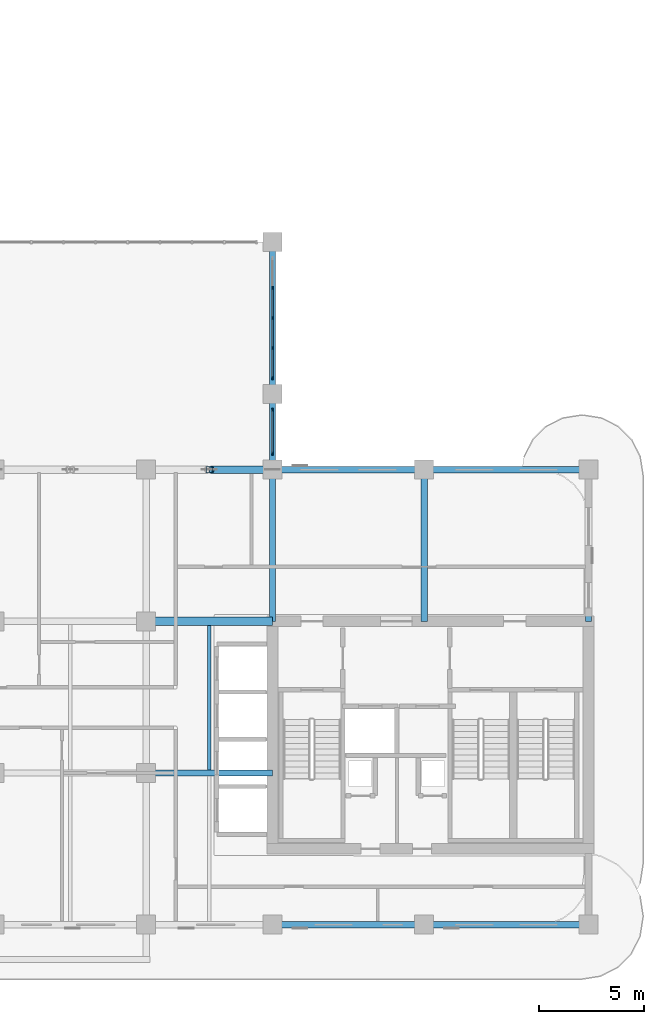
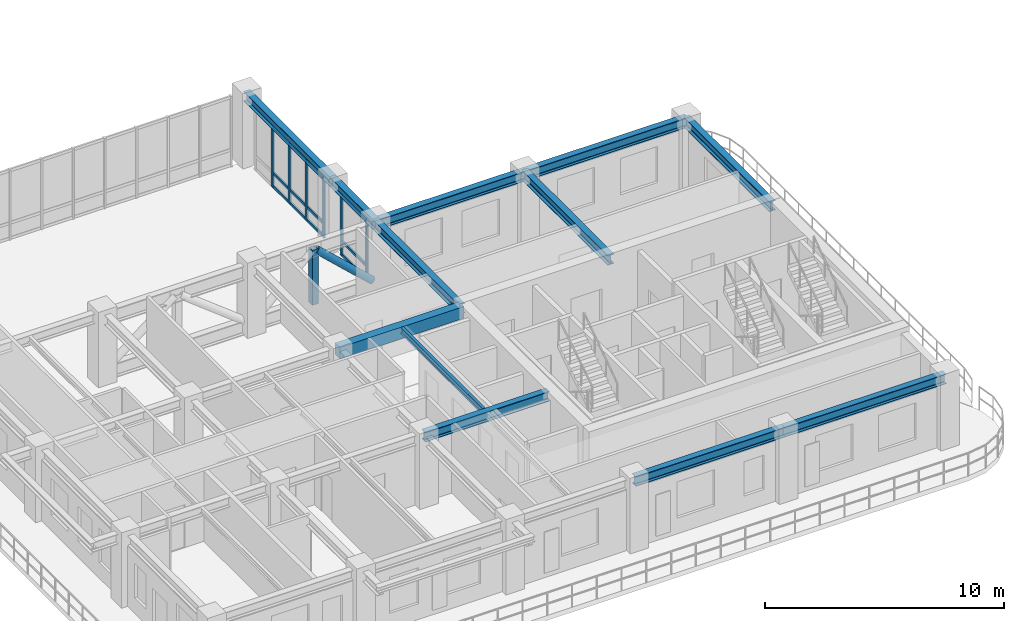
# One storey, part 3 of 19: 20 members, 12 beams, 2 elements without a shape of their own.
"""IFC4 building model written with IfcOpenShell, lengths in metres."""

from ifc_helpers import new_model, si_unit, derived_unit, direction, frame, origin, origin_2d, place, context, subcontext, project, spatial, rectangle, hollow_rectangle, hollow_circle, i_section, extrude, source, transform, mapped, material, layer, layer_set, material_profile, profile_set, type_object, type_shapes, element, aggregate, save


model = new_model("IFC4")

# Units and contexts
model_context = context("Model", 3, precision=1e-05, world=origin(), true_north=direction((0.0, 1.0)))
body_context = subcontext(model_context, "Body", "Model", "MODEL_VIEW")
ifc_project = project(units=[si_unit("LENGTHUNIT", "METRE"), si_unit("AREAUNIT", "SQUARE_METRE"), si_unit("VOLUMEUNIT", "CUBIC_METRE"), si_unit("PLANEANGLEUNIT", "RADIAN"), si_unit("MASSUNIT", "GRAM", prefix="KILO"), si_unit("THERMODYNAMICTEMPERATUREUNIT", "KELVIN"), si_unit("POWERUNIT", "WATT"), derived_unit("THERMALTRANSMITTANCEUNIT", [(si_unit("POWERUNIT", "WATT"), 1), (si_unit("AREAUNIT", "SQUARE_METRE"), -1), (si_unit("THERMODYNAMICTEMPERATUREUNIT", "KELVIN"), -1)])], contexts=[model_context])

# Site, building, storey
site_placement = place(None, origin())
site = spatial("IfcSite", under=ifc_project, at=site_placement, CompositionType="ELEMENT")
building_placement = place(site_placement, origin())
building = spatial("IfcBuilding", under=site, at=building_placement, Name="Zahravan Archway Hotel and Residences", CompositionType="ELEMENT")
storey_placement = place(building_placement, frame((0.0, 0.0, 201.89990234375)))
storey = spatial("IfcBuildingStorey", under=building, at=storey_placement, Name="L50", CompositionType="ELEMENT", Elevation=201.89990234375)

# Beams
ifc_material_1 = material(Name="Concrete C60/75", Category="concrete")
ifc_material_profile_1 = material_profile(ifc_material_1, rectangle(XDim=0.39990234375, YDim=0.60009765625, at=origin_2d()), Name="RC-LNT-400x600", Category="concrete")
ifc_profile_set_1 = profile_set([ifc_material_profile_1], Name="Concrete C60/75")
beam_type_1 = type_object("IfcBeamType", Name="LNT-RC-400x600", PredefinedType="LINTEL", material=ifc_profile_set_1)
shared_shape_1 = source(origin(), body_context, "Body", "SweptSolid", [
    extrude(rectangle(XDim=0.39990234375, YDim=0.60009765625, at=origin_2d()), origin(), (0.0, 0.0, 1.0), 6.0),
])
type_shapes(beam_type_1, [shared_shape_1])
beam_1_placement = place(storey_placement, frame((28.800048828125, 14.39990234375, 3.300048828125), z_axis=(1.0, 0.0, 0.0), x_axis=(0.0, 1.0, 0.0)))
element("IfcBeam", 1, at=beam_1_placement, inside=storey, type_object=beam_type_1, Name="L50 Core A Coupling Lintel Beam", PredefinedType="LINTEL", context=body_context, shape_type="MappedRepresentation", body=[
    mapped(shared_shape_1, transform((0.0, 0.0, 0.0), scale=1.0)),
])
ifc_material_2 = material(Name="Structural Steel S355JR", Category="steel")
ifc_material_profile_2 = material_profile(ifc_material_2, i_section(OverallWidth=0.300048828125, OverallDepth=0.5, WebThickness=0.014404296875, FlangeThickness=0.028076171875, FilletRadius=0.027099609375, at=origin_2d()), Name="HEB 500", Category="steel")
ifc_profile_set_2 = profile_set([ifc_material_profile_2], Name="Structural Steel S355JR")
beam_type_2 = type_object("IfcBeamType", Name="BM-PRI-HEB500", PredefinedType="BEAM", material=ifc_profile_set_2)
shared_shape_2 = source(origin(), body_context, "Body", "SweptSolid", [
    extrude(i_section(OverallWidth=0.300048828125, OverallDepth=0.5, WebThickness=0.014404296875, FlangeThickness=0.028076171875, FilletRadius=0.027099609375, at=origin_2d()), origin(), (0.0, 0.0, 1.0), 7.2001953125),
])
type_shapes(beam_type_2, [shared_shape_2])
for number, where, z_axis, x_axis, name in (
    (2, (34.800048828125, 14.39990234375, 3.35009765625), (0.0, 1.0, 0.0), (-1.0, 0.0, 0.0), "L50 Primary Girder NS-38"),
    (3, (42.0, 14.39990234375, 3.35009765625), (0.0, 1.0, 0.0), (-1.0, 0.0, 0.0), "L50 Primary Girder NS-41"),
    (4, (49.800048828125, 14.39990234375, 3.35009765625), (0.0, 1.0, 0.0), (-1.0, 0.0, 0.0), "L50 Primary Girder NS-42"),
):
    element("IfcBeam", number, at=place(storey_placement, frame(where, z_axis=z_axis, x_axis=x_axis)), inside=storey, type_object=beam_type_2, Name=name, PredefinedType="BEAM", context=body_context, shape_type="MappedRepresentation", body=[
        mapped(shared_shape_2, transform((0.0, 0.0, 0.0), scale=1.0)),
    ])
shared_shape_3 = source(origin(), body_context, "Body", "SweptSolid", [
    extrude(i_section(OverallWidth=0.300048828125, OverallDepth=0.5, WebThickness=0.014404296875, FlangeThickness=0.028076171875, FilletRadius=0.027099609375, at=origin_2d()), origin(), (0.0, 0.0, 1.0), 7.199951171875),
])
for number, where, z_axis, x_axis, name in (
    (5, (34.800048828125, 0.0, 3.35009765625), (1.0, 0.0, 0.0), (0.0, 1.0, 0.0), "L50 Primary Girder EW-04"),
    (6, (34.800048828125, 21.60009765625, 3.35009765625), (1.0, 0.0, 0.0), (0.0, 1.0, 0.0), "L50 Primary Girder EW-12"),
    (7, (34.800048828125, 25.199951171875, 3.35009765625), (0.0, 1.0, 0.0), (-1.0, 0.0, 0.0), "L50 Primary Girder NS-40"),
):
    element("IfcBeam", number, at=place(storey_placement, frame(where, z_axis=z_axis, x_axis=x_axis)), inside=storey, type_object=beam_type_2, Name=name, PredefinedType="BEAM", context=body_context, shape_type="MappedRepresentation", body=[
        mapped(shared_shape_3, transform((0.0, 0.0, 0.0), scale=1.0)),
    ])
shared_shape_4 = source(origin(), body_context, "Body", "SweptSolid", [
    extrude(i_section(OverallWidth=0.300048828125, OverallDepth=0.5, WebThickness=0.014404296875, FlangeThickness=0.028076171875, FilletRadius=0.027099609375, at=origin_2d()), origin(), (0.0, 0.0, 1.0), 6.0),
])
beam_2_placement = place(storey_placement, frame((28.800048828125, 7.199951171875, 3.35009765625), z_axis=(1.0, 0.0, 0.0), x_axis=(0.0, 1.0, 0.0)))
element("IfcBeam", 8, at=beam_2_placement, inside=storey, type_object=beam_type_2, Name="L50 Primary Girder EW-08", PredefinedType="BEAM", context=body_context, shape_type="MappedRepresentation", body=[
    mapped(shared_shape_4, transform((0.0, 0.0, 0.0), scale=1.0)),
])
shared_shape_5 = source(origin(), body_context, "Body", "SweptSolid", [
    extrude(i_section(OverallWidth=0.300048828125, OverallDepth=0.5, WebThickness=0.014404296875, FlangeThickness=0.028076171875, FilletRadius=0.027099609375, at=origin_2d()), origin(), (0.0, 0.0, 1.0), 7.800048828125),
])
for number, where, z_axis, x_axis, name in (
    (9, (42.0, 0.0, 3.35009765625), (1.0, 0.0, 0.0), (0.0, 1.0, 0.0), "L50 Primary Girder EW-05"),
    (10, (42.0, 21.60009765625, 3.35009765625), (1.0, 0.0, 0.0), (0.0, 1.0, 0.0), "L50 Primary Girder EW-13"),
):
    element("IfcBeam", number, at=place(storey_placement, frame(where, z_axis=z_axis, x_axis=x_axis)), inside=storey, type_object=beam_type_2, Name=name, PredefinedType="BEAM", context=body_context, shape_type="MappedRepresentation", body=[
        mapped(shared_shape_5, transform((0.0, 0.0, 0.0), scale=1.0)),
    ])
shared_shape_6 = source(origin(), body_context, "Body", "SweptSolid", [
    extrude(i_section(OverallWidth=0.300048828125, OverallDepth=0.5, WebThickness=0.014404296875, FlangeThickness=0.028076171875, FilletRadius=0.027099609375, at=origin_2d()), origin(), (0.0, 0.0, 1.0), 3.599853515625),
])
beam_3_placement = place(storey_placement, frame((34.800048828125, 21.60009765625, 3.35009765625), z_axis=(0.0, 1.0, 0.0), x_axis=(-1.0, 0.0, 0.0)))
element("IfcBeam", 11, at=beam_3_placement, inside=storey, type_object=beam_type_2, Name="L50 Primary Girder NS-39", PredefinedType="BEAM", context=body_context, shape_type="MappedRepresentation", body=[
    mapped(shared_shape_6, transform((0.0, 0.0, 0.0), scale=1.0)),
])
ifc_material_profile_3 = material_profile(ifc_material_2, i_section(OverallWidth=0.14990234375, OverallDepth=0.300048828125, WebThickness=0.007080078125, FlangeThickness=0.0107421875, FilletRadius=0.014892578125, at=origin_2d()), Name="IPE 300", Category="steel")
ifc_profile_set_3 = profile_set([ifc_material_profile_3], Name="Structural Steel S355JR")
beam_type_3 = type_object("IfcBeamType", Name="BM-JST-IPE300", PredefinedType="JOIST", material=ifc_profile_set_3)
shared_shape_7 = source(origin(), body_context, "Body", "SweptSolid", [
    extrude(i_section(OverallWidth=0.14990234375, OverallDepth=0.300048828125, WebThickness=0.007080078125, FlangeThickness=0.0107421875, FilletRadius=0.014892578125, at=origin_2d()), origin(), (0.0, 0.0, 1.0), 6.85400390625),
])
beam_4_placement = place(storey_placement, frame((31.800048828125, 7.347900390625, 3.4501953125), z_axis=(0.0, 1.0, 0.0), x_axis=(-1.0, 0.0, 0.0)))
element("IfcBeam", 12, at=beam_4_placement, inside=storey, type_object=beam_type_3, Name="L50 Composite Floor Joist 06", PredefinedType="JOIST", context=body_context, shape_type="MappedRepresentation", body=[
    mapped(shared_shape_7, transform((0.0, 0.0, 0.0), scale=1.0)),
])

# Members
ifc_material_3 = material(Name="Structural Steel S355J2", Category="steel")
ifc_material_profile_4 = material_profile(ifc_material_3, hollow_rectangle(XDim=0.300048828125, YDim=0.300048828125, WallThickness=0.01611328125, at=origin_2d()), Name="SHS 300x300x16", Category="steel")
ifc_profile_set_4 = profile_set([ifc_material_profile_4], Name="Structural Steel S355J2")
member_type_1 = type_object("IfcMemberType", Name="MEM-POST-SHS300", PredefinedType="POST", material=ifc_profile_set_4)
shared_shape_8 = source(origin(), body_context, "Body", "SweptSolid", [
    extrude(hollow_rectangle(XDim=0.300048828125, YDim=0.300048828125, WallThickness=0.01611328125, at=origin_2d()), origin(), (0.0, 0.0, 1.0), 2.800048828125),
])
member_1_placement = place(storey_placement, frame((31.800048828125, 21.60009765625, 0.35009765625), z_axis=(0.0, 0.0, 1.0), x_axis=(1.0, 0.0, 0.0)))
element("IfcMember", 13, at=member_1_placement, inside=storey, type_object=member_type_1, Name="L50 Sky-Bridge Truss Post 3", PredefinedType="POST", context=body_context, shape_type="MappedRepresentation", body=[
    mapped(shared_shape_8, transform((0.0, 0.0, 0.0), scale=1.0)),
])
ifc_material_profile_5 = material_profile(ifc_material_3, hollow_circle(Radius=0.177734375, WallThickness=0.01611328125, at=origin_2d()), Name="CHS 355.6x16", Category="steel")
ifc_profile_set_5 = profile_set([ifc_material_profile_5], Name="Structural Steel S355J2")
member_type_2 = type_object("IfcMemberType", Name="MEM-DIAG-CHS355", PredefinedType="BRACE", material=ifc_profile_set_5)
shared_shape_9 = source(origin(), body_context, "Body", "SweptSolid", [
    extrude(hollow_circle(Radius=0.177734375, WallThickness=0.01611328125, at=origin_2d()), origin(), (0.0, 0.0, 1.0), 3.683837890625),
])
member_2_placement = place(storey_placement, frame((31.90234375, 21.60009765625, 3.0546875), z_axis=(0.731011188457, 0.0, -0.682365475644), x_axis=(0.0, 1.0, 0.0)))
element("IfcMember", 14, at=member_2_placement, inside=storey, type_object=member_type_2, Name="L50 Sky-Bridge Truss Diagonal 4", PredefinedType="BRACE", context=body_context, shape_type="MappedRepresentation", body=[
    mapped(shared_shape_9, transform((0.0, 0.0, 0.0), scale=1.0)),
])

# Curtain wall, members
ifc_material_4 = material(Name="Bronze-Anodized Unitised Aluminium & Low-E Glass", Category="aluminium")
ifc_layer = layer(ifc_material_4, 0.179931640625, Name="Bronze-Anodized Unitised Aluminium & Low-E Glass", Category="aluminium")
ifc_layer_set = layer_set([ifc_layer], Name="Bronze-Anodized Unitised Aluminium & Low-E Glass")
curtain_wall_type = type_object("IfcCurtainWallType", Name="CW-SBG-2", PredefinedType="NOTDEFINED", material=ifc_layer_set)
curtain_wall_1_placement = place(storey_placement, origin())
curtain_wall_1 = element("IfcCurtainWall", 15, at=curtain_wall_1_placement, inside=storey, type_object=curtain_wall_type, Name="L50 Curtain Wall CW-L50-HNG-E-2", PredefinedType="NOTDEFINED")
ifc_material_5 = material(Name="Bronze-Anodized Extruded Aluminium", Category="aluminium")
ifc_material_profile_6 = material_profile(ifc_material_5, rectangle(XDim=0.080078125, YDim=0.139892578125, at=origin_2d()), Name="TRN 80x140", Category="aluminium")
ifc_profile_set_6 = profile_set([ifc_material_profile_6], Name="Bronze-Anodized Extruded Aluminium")
member_type_3 = type_object("IfcMemberType", Name="CWM-TRN-140", PredefinedType="USERDEFINED", material=ifc_profile_set_6)
shared_shape_10 = source(origin(), body_context, "Body", "SweptSolid", [
    extrude(rectangle(XDim=0.080078125, YDim=0.139892578125, at=origin_2d()), origin(), (0.0, 0.0, 1.0), 1.33984375),
])
member_3_placement = place(storey_placement, frame((34.800048828125, 28.840087890625, 0.070068359375), z_axis=(0.0, 1.0, 0.0), x_axis=(-1.0, 0.0, 0.0)))
member_3 = element("IfcMember", 16, at=member_3_placement, type_object=member_type_3, Name="CW-L50-HNG-E-2 Transom 2-1", ObjectType="TRANSOM", PredefinedType="USERDEFINED", context=body_context, shape_type="MappedRepresentation", body=[
    mapped(shared_shape_10, transform((0.0, 0.0, 0.0), scale=1.0)),
])
member_4_placement = place(storey_placement, frame((34.800048828125, 28.840087890625, 0.740478515625), z_axis=(0.0, 1.0, 0.0), x_axis=(-1.0, 0.0, 0.0)))
member_4 = element("IfcMember", 17, at=member_4_placement, type_object=member_type_3, Name="CW-L50-HNG-E-2 Transom 2-2", ObjectType="TRANSOM", PredefinedType="USERDEFINED", context=body_context, shape_type="MappedRepresentation", body=[
    mapped(shared_shape_10, transform((0.0, 0.0, 0.0), scale=1.0)),
])
member_5_placement = place(storey_placement, frame((34.800048828125, 28.840087890625, 3.01513671875), z_axis=(0.0, 1.0, 0.0), x_axis=(-1.0, 0.0, 0.0)))
member_5 = element("IfcMember", 18, at=member_5_placement, type_object=member_type_3, Name="CW-L50-HNG-E-2 Transom 2-3", ObjectType="TRANSOM", PredefinedType="USERDEFINED", context=body_context, shape_type="MappedRepresentation", body=[
    mapped(shared_shape_10, transform((0.0, 0.0, 0.0), scale=1.0)),
])
shared_shape_11 = source(origin(), body_context, "Body", "SweptSolid", [
    extrude(rectangle(XDim=0.080078125, YDim=0.139892578125, at=origin_2d()), origin(), (0.0, 0.0, 1.0), 1.340087890625),
])
member_6_placement = place(storey_placement, frame((34.800048828125, 26.0, 0.070068359375), z_axis=(0.0, 1.0, 0.0), x_axis=(-1.0, 0.0, 0.0)))
member_6 = element("IfcMember", 19, at=member_6_placement, type_object=member_type_3, Name="CW-L50-HNG-E-2 Transom 0-1", ObjectType="TRANSOM", PredefinedType="USERDEFINED", context=body_context, shape_type="MappedRepresentation", body=[
    mapped(shared_shape_11, transform((0.0, 0.0, 0.0), scale=1.0)),
])
member_7_placement = place(storey_placement, frame((34.800048828125, 26.0, 0.740478515625), z_axis=(0.0, 1.0, 0.0), x_axis=(-1.0, 0.0, 0.0)))
member_7 = element("IfcMember", 20, at=member_7_placement, type_object=member_type_3, Name="CW-L50-HNG-E-2 Transom 0-2", ObjectType="TRANSOM", PredefinedType="USERDEFINED", context=body_context, shape_type="MappedRepresentation", body=[
    mapped(shared_shape_11, transform((0.0, 0.0, 0.0), scale=1.0)),
])
member_8_placement = place(storey_placement, frame((34.800048828125, 26.0, 3.01513671875), z_axis=(0.0, 1.0, 0.0), x_axis=(-1.0, 0.0, 0.0)))
member_8 = element("IfcMember", 21, at=member_8_placement, type_object=member_type_3, Name="CW-L50-HNG-E-2 Transom 0-3", ObjectType="TRANSOM", PredefinedType="USERDEFINED", context=body_context, shape_type="MappedRepresentation", body=[
    mapped(shared_shape_11, transform((0.0, 0.0, 0.0), scale=1.0)),
])
member_9_placement = place(storey_placement, frame((34.800048828125, 27.419921875, 0.070068359375), z_axis=(0.0, 1.0, 0.0), x_axis=(-1.0, 0.0, 0.0)))
member_9 = element("IfcMember", 22, at=member_9_placement, type_object=member_type_3, Name="CW-L50-HNG-E-2 Transom 1-1", ObjectType="TRANSOM", PredefinedType="USERDEFINED", context=body_context, shape_type="MappedRepresentation", body=[
    mapped(shared_shape_11, transform((0.0, 0.0, 0.0), scale=1.0)),
])
member_10_placement = place(storey_placement, frame((34.800048828125, 27.419921875, 0.740478515625), z_axis=(0.0, 1.0, 0.0), x_axis=(-1.0, 0.0, 0.0)))
member_10 = element("IfcMember", 23, at=member_10_placement, type_object=member_type_3, Name="CW-L50-HNG-E-2 Transom 1-2", ObjectType="TRANSOM", PredefinedType="USERDEFINED", context=body_context, shape_type="MappedRepresentation", body=[
    mapped(shared_shape_11, transform((0.0, 0.0, 0.0), scale=1.0)),
])
member_11_placement = place(storey_placement, frame((34.800048828125, 27.419921875, 3.01513671875), z_axis=(0.0, 1.0, 0.0), x_axis=(-1.0, 0.0, 0.0)))
member_11 = element("IfcMember", 24, at=member_11_placement, type_object=member_type_3, Name="CW-L50-HNG-E-2 Transom 1-3", ObjectType="TRANSOM", PredefinedType="USERDEFINED", context=body_context, shape_type="MappedRepresentation", body=[
    mapped(shared_shape_11, transform((0.0, 0.0, 0.0), scale=1.0)),
])

curtain_wall_2_placement = place(storey_placement, origin())
curtain_wall_2 = element("IfcCurtainWall", 25, at=curtain_wall_2_placement, inside=storey, type_object=curtain_wall_type, Name="L50 Curtain Wall CW-L50-HNG-E-1", PredefinedType="NOTDEFINED")
shared_shape_12 = source(origin(), body_context, "Body", "SweptSolid", [
    extrude(rectangle(XDim=0.080078125, YDim=0.139892578125, at=origin_2d()), origin(), (0.0, 0.0, 1.0), 2.0),
])
member_12_placement = place(storey_placement, frame((34.800048828125, 22.39990234375, 0.070068359375), z_axis=(0.0, 1.0, 0.0), x_axis=(-1.0, 0.0, 0.0)))
member_12 = element("IfcMember", 26, at=member_12_placement, type_object=member_type_3, Name="CW-L50-HNG-E-1 Transom 0-1", ObjectType="TRANSOM", PredefinedType="USERDEFINED", context=body_context, shape_type="MappedRepresentation", body=[
    mapped(shared_shape_12, transform((0.0, 0.0, 0.0), scale=1.0)),
])
member_13_placement = place(storey_placement, frame((34.800048828125, 22.39990234375, 0.740478515625), z_axis=(0.0, 1.0, 0.0), x_axis=(-1.0, 0.0, 0.0)))
member_13 = element("IfcMember", 27, at=member_13_placement, type_object=member_type_3, Name="CW-L50-HNG-E-1 Transom 0-2", ObjectType="TRANSOM", PredefinedType="USERDEFINED", context=body_context, shape_type="MappedRepresentation", body=[
    mapped(shared_shape_12, transform((0.0, 0.0, 0.0), scale=1.0)),
])
member_14_placement = place(storey_placement, frame((34.800048828125, 22.39990234375, 3.01513671875), z_axis=(0.0, 1.0, 0.0), x_axis=(-1.0, 0.0, 0.0)))
member_14 = element("IfcMember", 28, at=member_14_placement, type_object=member_type_3, Name="CW-L50-HNG-E-1 Transom 0-3", ObjectType="TRANSOM", PredefinedType="USERDEFINED", context=body_context, shape_type="MappedRepresentation", body=[
    mapped(shared_shape_12, transform((0.0, 0.0, 0.0), scale=1.0)),
])
ifc_material_profile_7 = material_profile(ifc_material_5, rectangle(XDim=0.080078125, YDim=0.159912109375, at=origin_2d()), Name="MUL 80x160", Category="aluminium")
ifc_profile_set_7 = profile_set([ifc_material_profile_7], Name="Bronze-Anodized Extruded Aluminium")
member_type_4 = type_object("IfcMemberType", Name="CWM-MUL-160", PredefinedType="MULLION", material=ifc_profile_set_7)
shared_shape_13 = source(origin(), body_context, "Body", "SweptSolid", [
    extrude(rectangle(XDim=0.080078125, YDim=0.159912109375, at=origin_2d()), origin(), (0.0, 0.0, 1.0), 3.085205078125),
])
member_15_placement = place(storey_placement, frame((34.800048828125, 22.360107421875, 0.0), z_axis=(0.0, 0.0, 1.0), x_axis=(1.0, 0.0, 0.0)))
member_15 = element("IfcMember", 29, at=member_15_placement, type_object=member_type_4, Name="CW-L50-HNG-E-1 Mullion 0", PredefinedType="MULLION", context=body_context, shape_type="MappedRepresentation", body=[
    mapped(shared_shape_13, transform((0.0, 0.0, 0.0), scale=1.0)),
])
member_16_placement = place(storey_placement, frame((34.800048828125, 24.43994140625, 0.0), z_axis=(0.0, 0.0, 1.0), x_axis=(1.0, 0.0, 0.0)))
member_16 = element("IfcMember", 30, at=member_16_placement, type_object=member_type_4, Name="CW-L50-HNG-E-1 Mullion 1", PredefinedType="MULLION", context=body_context, shape_type="MappedRepresentation", body=[
    mapped(shared_shape_13, transform((0.0, 0.0, 0.0), scale=1.0)),
])
aggregate(curtain_wall_2, [member_15, member_16, member_12, member_13, member_14])

# Member
member_17_placement = place(storey_placement, frame((34.800048828125, 25.9599609375, 0.0), z_axis=(0.0, 0.0, 1.0), x_axis=(1.0, 0.0, 0.0)))
member_17 = element("IfcMember", 31, at=member_17_placement, type_object=member_type_4, Name="CW-L50-HNG-E-2 Mullion 0", PredefinedType="MULLION", context=body_context, shape_type="MappedRepresentation", body=[
    mapped(shared_shape_13, transform((0.0, 0.0, 0.0), scale=1.0)),
])

member_18_placement = place(storey_placement, frame((34.800048828125, 27.3798828125, 0.0), z_axis=(0.0, 0.0, 1.0), x_axis=(1.0, 0.0, 0.0)))
member_18 = element("IfcMember", 32, at=member_18_placement, type_object=member_type_4, Name="CW-L50-HNG-E-2 Mullion 1", PredefinedType="MULLION", context=body_context, shape_type="MappedRepresentation", body=[
    mapped(shared_shape_13, transform((0.0, 0.0, 0.0), scale=1.0)),
])

member_19_placement = place(storey_placement, frame((34.800048828125, 28.800048828125, 0.0), z_axis=(0.0, 0.0, 1.0), x_axis=(1.0, 0.0, 0.0)))
member_19 = element("IfcMember", 33, at=member_19_placement, type_object=member_type_4, Name="CW-L50-HNG-E-2 Mullion 2", PredefinedType="MULLION", context=body_context, shape_type="MappedRepresentation", body=[
    mapped(shared_shape_13, transform((0.0, 0.0, 0.0), scale=1.0)),
])

member_20_placement = place(storey_placement, frame((34.800048828125, 30.219970703125, 0.0), z_axis=(0.0, 0.0, 1.0), x_axis=(1.0, 0.0, 0.0)))
member_20 = element("IfcMember", 34, at=member_20_placement, type_object=member_type_4, Name="CW-L50-HNG-E-2 Mullion 3", PredefinedType="MULLION", context=body_context, shape_type="MappedRepresentation", body=[
    mapped(shared_shape_13, transform((0.0, 0.0, 0.0), scale=1.0)),
])

aggregate(curtain_wall_1, [member_17, member_18, member_19, member_20, member_6, member_7, member_8, member_9, member_10, member_11, member_3, member_4, member_5])

save(model, "model.ifc")
